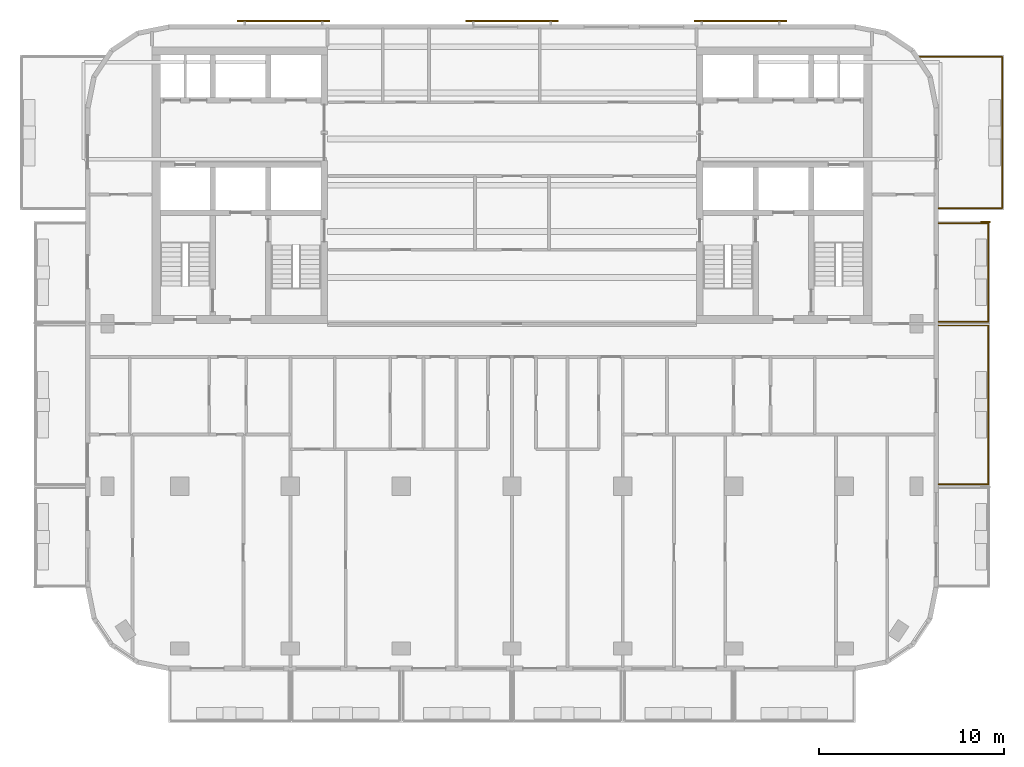
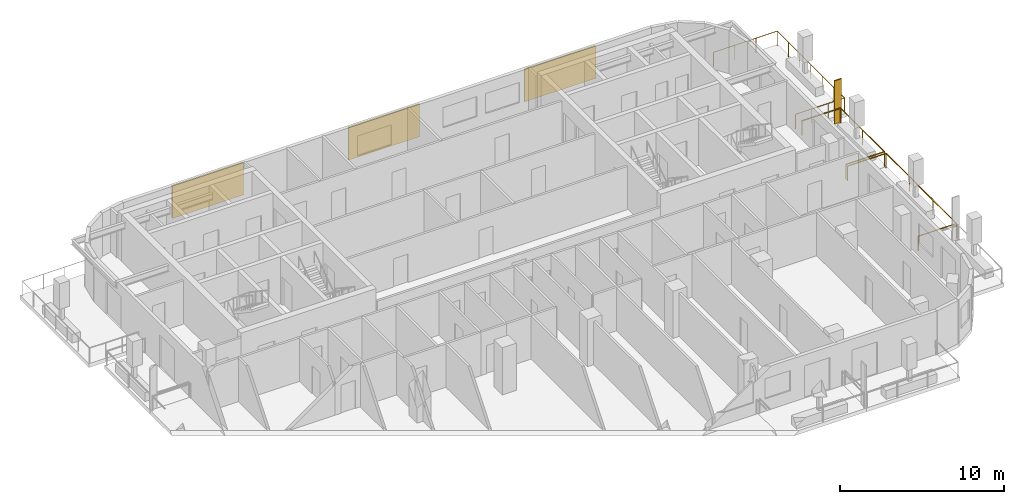
# One storey, part 10 of 11: 4 shading devices, 3 railings.
"""IFC4 building model written with IfcOpenShell, lengths in metres."""

from ifc_helpers import new_model, si_unit, direction, frame, origin, origin_2d, place, context, subcontext, project, spatial, rectangle, circle, extrude, material, layer, layer_set, type_object, element, save


model = new_model("IFC4")

# Units and contexts
model_context = context("Model", 3, precision=1e-05, world=origin(), true_north=direction((0.0, 1.0)))
body_context = subcontext(model_context, "Body", "Model", "MODEL_VIEW")
ifc_project = project(units=[si_unit("LENGTHUNIT", "METRE"), si_unit("AREAUNIT", "SQUARE_METRE"), si_unit("VOLUMEUNIT", "CUBIC_METRE"), si_unit("PLANEANGLEUNIT", "RADIAN"), si_unit("MASSUNIT", "GRAM", prefix="KILO")], contexts=[model_context])

# Site, building, storey
site_placement = place(None, origin())
site = spatial("IfcSite", under=ifc_project, at=site_placement, CompositionType="ELEMENT")
building_placement = place(site_placement, origin())
building = spatial("IfcBuilding", under=site, at=building_placement, Name="Torana Hotel and Residences", CompositionType="ELEMENT")
storey_placement = place(building_placement, frame((0.0, 0.0, 284.10009765625)))
storey = spatial("IfcBuildingStorey", under=building, at=storey_placement, Name="L75", CompositionType="ELEMENT", Elevation=284.10009765625)

# Shading device
ifc_material_1 = material(Name="Black powder coated aluminium", Category="aluminium")
ifc_layer_1 = layer(ifc_material_1, 0.080078125)
ifc_layer_set_1 = layer_set([ifc_layer_1], Name="FN1 VERTICAL FIN 500x80")
shading_device_type_1 = type_object("IfcShadingDeviceType", Name="FN1 VERTICAL FIN 500x80", PredefinedType="USERDEFINED", material=ifc_layer_set_1)
shading_device_placement = place(storey_placement, frame((25.64990234375, -9.489990234375, 0.0), z_axis=(0.0, 0.0, 1.0), x_axis=(0.0, -1.0, 0.0)))
element("IfcShadingDevice", 1, at=shading_device_placement, inside=storey, type_object=shading_device_type_1, Name="Fin 13", ObjectType="FIN", PredefinedType="USERDEFINED", context=body_context, shape_type="SweptSolid", body=[
    extrude(rectangle(XDim=0.080078125, YDim=0.5, at=origin_2d()), origin(), (0.0, 0.0, 1.0), 3.219970703125),
])

# Railings
ifc_material_2 = material(Name="Laminated glass balustrade with black handrail", Category="glass")
railing_type = type_object("IfcRailingType", Name="GR1 BALCONY GUARD 1100 GLASS", PredefinedType="GUARDRAIL", material=ifc_material_2)
railing_1_placement = place(storey_placement, frame((23.10009765625, -15.10009765625, 0.0)))
element("IfcRailing", 2, at=railing_1_placement, inside=storey, type_object=railing_type, Name="Balcony guard 12", PredefinedType="GUARDRAIL", context=body_context, shape_type="SweptSolid", body=[
    extrude(circle(Radius=0.02392578125, at=origin_2d()), frame((0.0, 0.0, 1.076171875), z_axis=(1.0, 0.0, 0.0), x_axis=(0.0, 1.0, 0.0)), (0.0, 0.0, 1.0), 2.699951171875),
    extrude(circle(Radius=0.02392578125, at=origin_2d()), frame((2.699951171875, 0.0, 1.076171875), z_axis=(0.0, -1.0, 0.0), x_axis=(1.0, 0.0, 0.0)), (0.0, 0.0, 1.0), 8.599853515625),
    extrude(circle(Radius=0.02392578125, at=origin_2d()), frame((2.699951171875, -8.599853515625, 1.076171875), z_axis=(-1.0, 0.0, 0.0), x_axis=(0.0, -1.0, 0.0)), (0.0, 0.0, 1.0), 2.699951171875),
    extrude(circle(Radius=0.02099609375, at=origin_2d()), origin(), (0.0, 0.0, 1.0), 1.052001953125),
    extrude(circle(Radius=0.02099609375, at=origin_2d()), frame((2.699951171875, 0.0, 0.0)), (0.0, 0.0, 1.0), 1.052001953125),
    extrude(circle(Radius=0.02099609375, at=origin_2d()), frame((2.699951171875, -2.86669921875, 0.0)), (0.0, 0.0, 1.0), 1.052001953125),
    extrude(circle(Radius=0.02099609375, at=origin_2d()), frame((2.699951171875, -5.733154296875, 0.0)), (0.0, 0.0, 1.0), 1.052001953125),
    extrude(circle(Radius=0.02099609375, at=origin_2d()), frame((2.699951171875, -8.599853515625, 0.0)), (0.0, 0.0, 1.0), 1.052001953125),
    extrude(circle(Radius=0.02099609375, at=origin_2d()), frame((0.0, -8.599853515625, 0.0)), (0.0, 0.0, 1.0), 1.052001953125),
])
railing_2_placement = place(storey_placement, frame((23.10009765625, -9.550048828125, 0.0)))
element("IfcRailing", 3, at=railing_2_placement, inside=storey, type_object=railing_type, Name="Balcony guard 13", PredefinedType="GUARDRAIL", context=body_context, shape_type="SweptSolid", body=[
    extrude(circle(Radius=0.02392578125, at=origin_2d()), frame((0.0, 0.0, 1.076171875), z_axis=(1.0, 0.0, 0.0), x_axis=(0.0, 1.0, 0.0)), (0.0, 0.0, 1.0), 2.699951171875),
    extrude(circle(Radius=0.02392578125, at=origin_2d()), frame((2.699951171875, 0.0, 1.076171875), z_axis=(0.0, -1.0, 0.0), x_axis=(1.0, 0.0, 0.0)), (0.0, 0.0, 1.0), 5.349853515625),
    extrude(circle(Radius=0.02392578125, at=origin_2d()), frame((2.699951171875, -5.349853515625, 1.076171875), z_axis=(-1.0, 0.0, 0.0), x_axis=(0.0, -1.0, 0.0)), (0.0, 0.0, 1.0), 2.699951171875),
    extrude(circle(Radius=0.02099609375, at=origin_2d()), origin(), (0.0, 0.0, 1.0), 1.052001953125),
    extrude(circle(Radius=0.02099609375, at=origin_2d()), frame((2.699951171875, 0.0, 0.0)), (0.0, 0.0, 1.0), 1.052001953125),
    extrude(circle(Radius=0.02099609375, at=origin_2d()), frame((2.699951171875, -2.6748046875, 0.0)), (0.0, 0.0, 1.0), 1.052001953125),
    extrude(circle(Radius=0.02099609375, at=origin_2d()), frame((2.699951171875, -5.349853515625, 0.0)), (0.0, 0.0, 1.0), 1.052001953125),
    extrude(circle(Radius=0.02099609375, at=origin_2d()), frame((0.0, -5.349853515625, 0.0)), (0.0, 0.0, 1.0), 1.052001953125),
])
railing_3_placement = place(storey_placement, frame((22.07080078125, -0.550048828125, 0.0)))
element("IfcRailing", 4, at=railing_3_placement, inside=storey, type_object=railing_type, Name="Balcony guard 14", PredefinedType="GUARDRAIL", context=body_context, shape_type="SweptSolid", body=[
    extrude(circle(Radius=0.02392578125, at=origin_2d()), frame((0.0, 0.0, 1.076171875), z_axis=(1.0, 0.0, 0.0), x_axis=(0.0, 1.0, 0.0)), (0.0, 0.0, 1.0), 4.479248046875),
    extrude(circle(Radius=0.02392578125, at=origin_2d()), frame((4.479248046875, 0.0, 1.076171875), z_axis=(0.0, -1.0, 0.0), x_axis=(1.0, 0.0, 0.0)), (0.0, 0.0, 1.0), 8.199951171875),
    extrude(circle(Radius=0.02392578125, at=origin_2d()), frame((4.479248046875, -8.199951171875, 1.076171875), z_axis=(-1.0, 0.0, 0.0), x_axis=(0.0, -1.0, 0.0)), (0.0, 0.0, 1.0), 3.449951171875),
    extrude(circle(Radius=0.02099609375, at=origin_2d()), origin(), (0.0, 0.0, 1.0), 1.052001953125),
    extrude(circle(Radius=0.02099609375, at=origin_2d()), frame((1.4931640625, 0.0, 0.0)), (0.0, 0.0, 1.0), 1.052001953125),
    extrude(circle(Radius=0.02099609375, at=origin_2d()), frame((2.986083984375, 0.0, 0.0)), (0.0, 0.0, 1.0), 1.052001953125),
    extrude(circle(Radius=0.02099609375, at=origin_2d()), frame((4.479248046875, 0.0, 0.0)), (0.0, 0.0, 1.0), 1.052001953125),
    extrude(circle(Radius=0.02099609375, at=origin_2d()), frame((4.479248046875, -1.36669921875, 0.0)), (0.0, 0.0, 1.0), 1.052001953125),
    extrude(circle(Radius=0.02099609375, at=origin_2d()), frame((4.479248046875, -2.7333984375, 0.0)), (0.0, 0.0, 1.0), 1.052001953125),
    extrude(circle(Radius=0.02099609375, at=origin_2d()), frame((4.479248046875, -4.10009765625, 0.0)), (0.0, 0.0, 1.0), 1.052001953125),
    extrude(circle(Radius=0.02099609375, at=origin_2d()), frame((4.479248046875, -5.466552734375, 0.0)), (0.0, 0.0, 1.0), 1.052001953125),
    extrude(circle(Radius=0.02099609375, at=origin_2d()), frame((4.479248046875, -6.833251953125, 0.0)), (0.0, 0.0, 1.0), 1.052001953125),
    extrude(circle(Radius=0.02099609375, at=origin_2d()), frame((4.479248046875, -8.199951171875, 0.0)), (0.0, 0.0, 1.0), 1.052001953125),
    extrude(circle(Radius=0.02099609375, at=origin_2d()), frame((3.329345703125, -8.199951171875, 0.0)), (0.0, 0.0, 1.0), 1.052001953125),
    extrude(circle(Radius=0.02099609375, at=origin_2d()), frame((2.17919921875, -8.199951171875, 0.0)), (0.0, 0.0, 1.0), 1.052001953125),
    extrude(circle(Radius=0.02099609375, at=origin_2d()), frame((1.029296875, -8.199951171875, 0.0)), (0.0, 0.0, 1.0), 1.052001953125),
])

# Shading devices
ifc_material_3 = material(Name="Concrete C40/50 precast", Category="concrete")
ifc_layer_2 = layer(ifc_material_3, 0.10009765625)
ifc_layer_set_2 = layer_set([ifc_layer_2], Name="SC1 PERFORATED BLOCK SCREEN PANEL 100")
shading_device_type_2 = type_object("IfcShadingDeviceType", Name="SC1 PERFORATED BLOCK SCREEN PANEL 100", PredefinedType="USERDEFINED", material=ifc_layer_set_2)
for number, where, z_axis, x_axis, name in (
    (5, (12.383544921875, 1.39990234375, 0.5), (0.0, 0.0, 1.0), (-1.0, 0.0, 0.0), "Perforated block screen L75"),
    (6, (0.0, 1.39990234375, 0.5), (0.0, 0.0, 1.0), (-1.0, 0.0, 0.0), "Perforated block screen L75"),
    (7, (-12.383544921875, 1.39990234375, 0.5), (0.0, 0.0, 1.0), (-1.0, 0.0, 0.0), "Perforated block screen L75"),
):
    element("IfcShadingDevice", number, at=place(storey_placement, frame(where, z_axis=z_axis, x_axis=x_axis)), inside=storey, type_object=shading_device_type_2, Name=name, ObjectType="SCREEN", PredefinedType="USERDEFINED", context=body_context, shape_type="SweptSolid", body=[
        extrude(rectangle(XDim=5.0, YDim=0.10009765625, at=origin_2d()), origin(), (0.0, 0.0, 1.0), 2.419921875),
    ])

save(model, "model.ifc")
